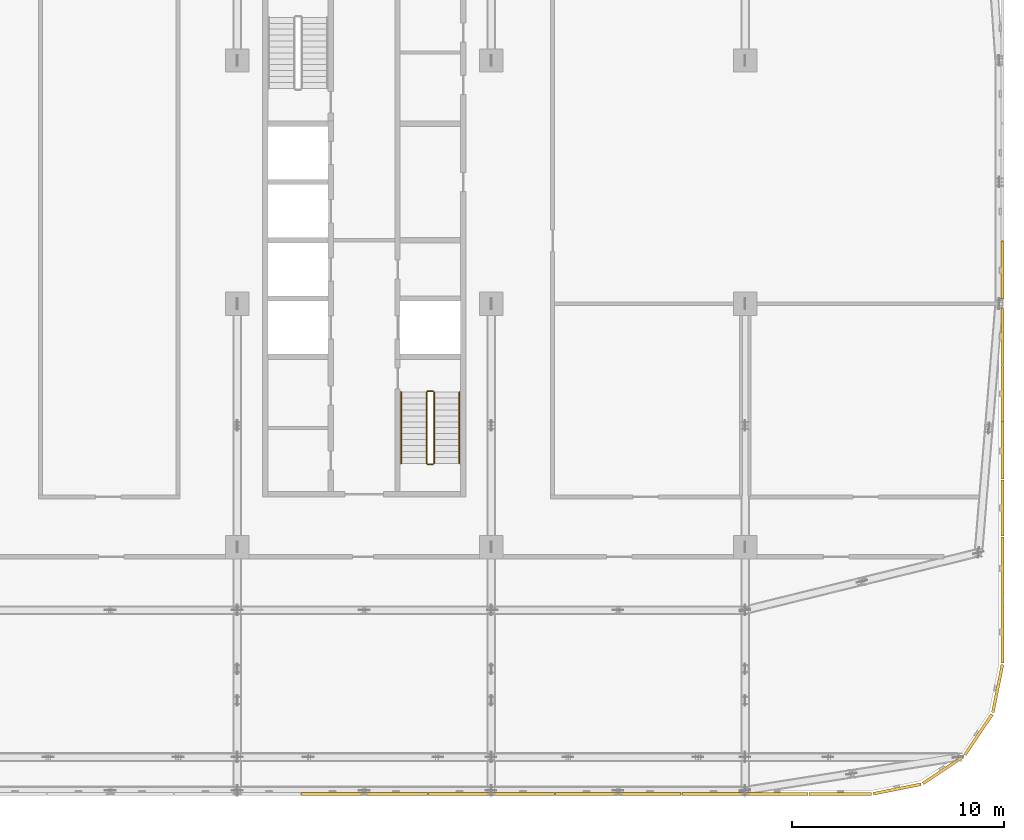
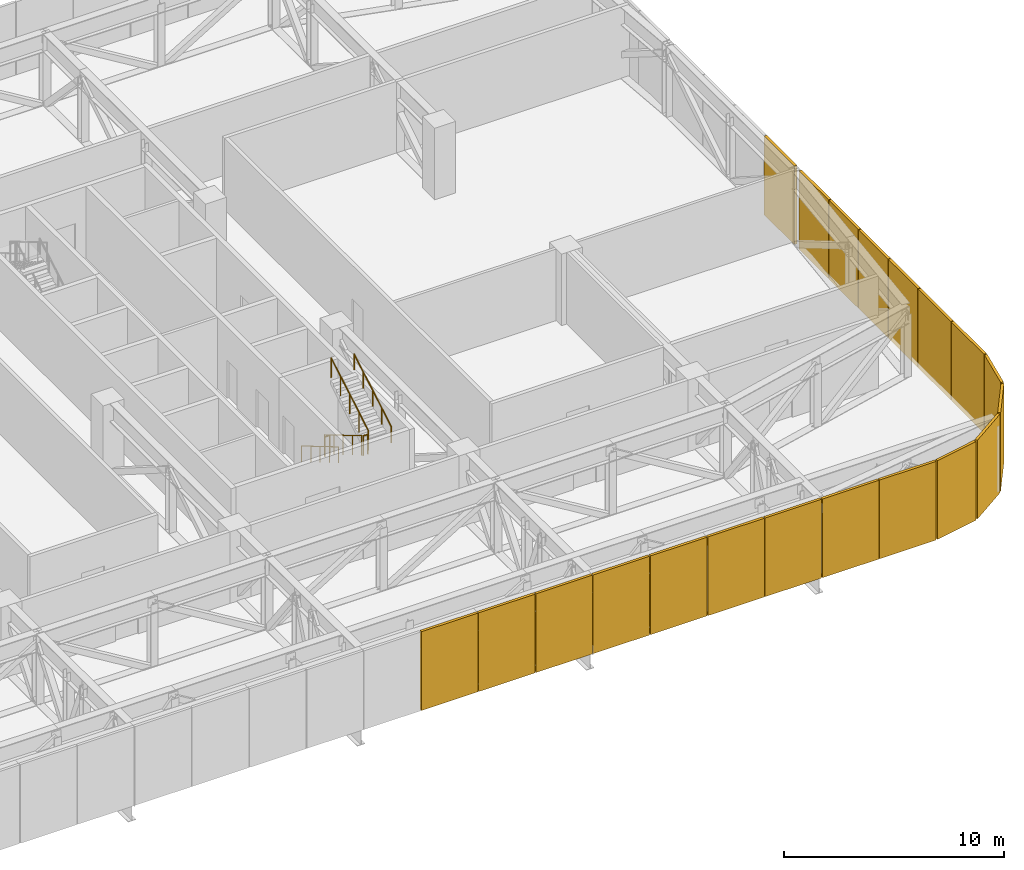
# One storey, part 27 of 28: 20 coverings, 6 railings.
"""IFC4 building model written with IfcOpenShell, lengths in metres."""

from ifc_helpers import new_model, si_unit, direction, frame, origin, origin_2d, place, context, subcontext, project, spatial, rectangle, circle, extrude, material, type_object, element, save


model = new_model("IFC4")

# Units and contexts
model_context = context("Model", 3, precision=1e-05, world=origin(), true_north=direction((0.0, 1.0)))
body_context = subcontext(model_context, "Body", "Model", "MODEL_VIEW")
ifc_project = project(units=[si_unit("LENGTHUNIT", "METRE"), si_unit("AREAUNIT", "SQUARE_METRE"), si_unit("VOLUMEUNIT", "CUBIC_METRE"), si_unit("PLANEANGLEUNIT", "RADIAN"), si_unit("MASSUNIT", "GRAM", prefix="KILO")], contexts=[model_context])

# Site, building, storey
site_placement = place(None, origin())
site = spatial("IfcSite", under=ifc_project, at=site_placement, CompositionType="ELEMENT")
building_placement = place(site_placement, origin())
building = spatial("IfcBuilding", under=site, at=building_placement, Name="Mahtab Terrace Research Tower", CompositionType="ELEMENT")
storey_placement = place(building_placement, frame((0.0, 0.0, 224.300048828125)))
storey = spatial("IfcBuildingStorey", under=building, at=storey_placement, Name="L54", CompositionType="ELEMENT", Elevation=224.300048828125)

# Coverings
ifc_material_1 = material(Name="Natural anodised aluminium", Category="aluminium")
covering_type = type_object("IfcCoveringType", Name="Plant storey louvre bay", PredefinedType="CLADDING", material=ifc_material_1)
for number, where, z_axis, x_axis, name in (
    (1, (22.5, -23.159912109375, -0.39990234375), (0.0, 0.0, 1.0), (1.0, 0.0, 0.0), "Louvre bay L54 74"),
    (2, (25.5, -23.159912109375, -0.39990234375), (0.0, 0.0, 1.0), (1.0, 0.0, 0.0), "Louvre bay L54 75"),
    (3, (28.5, -23.159912109375, -0.39990234375), (0.0, 0.0, 1.0), (1.0, 0.0, 0.0), "Louvre bay L54 76"),
    (4, (31.5, -23.159912109375, -0.39990234375), (0.0, 0.0, 1.0), (1.0, 0.0, 0.0), "Louvre bay L54 77"),
    (5, (34.5, -23.159912109375, -0.39990234375), (0.0, 0.0, 1.0), (1.0, 0.0, 0.0), "Louvre bay L54 78"),
    (6, (37.5, -23.159912109375, -0.39990234375), (0.0, 0.0, 1.0), (1.0, 0.0, 0.0), "Louvre bay L54 79"),
    (7, (40.5, -23.159912109375, -0.39990234375), (0.0, 0.0, 1.0), (1.0, 0.0, 0.0), "Louvre bay L54 80"),
    (8, (43.5, -23.159912109375, -0.39990234375), (0.0, 0.0, 1.0), (1.0, 0.0, 0.0), "Louvre bay L54 81"),
    (9, (46.5, -23.159912109375, -0.39990234375), (0.0, 0.0, 1.0), (1.0, 0.0, 0.0), "Louvre bay L54 82"),
):
    element("IfcCovering", number, at=place(storey_placement, frame(where, z_axis=z_axis, x_axis=x_axis)), inside=storey, type_object=covering_type, Name=name, PredefinedType="CLADDING", context=body_context, shape_type="SweptSolid", body=[
        extrude(rectangle(XDim=2.9599609375, YDim=0.139892578125, at=origin_2d()), origin(), (0.0, 0.0, 1.0), 4.360107421875),
    ])
for number, where, z_axis, x_axis, name in (
    (10, (49.17919921875, -22.928466796875, -0.39990234375), (0.0, 0.0, 1.0), (0.980760981187, 0.195212442692, 0.0), "Louvre bay L54 83"),
    (11, (51.3583984375, -22.026123046875, -0.39990234375), (0.0, 0.0, 1.0), (0.831655794326, 0.555291490808, 0.0), "Louvre bay L54 84"),
    (12, (53.026123046875, -20.3583984375, -0.39990234375), (0.0, 0.0, 1.0), (0.555291490808, 0.831655794326, 0.0), "Louvre bay L54 85"),
    (13, (53.928466796875, -18.17919921875, -0.39990234375), (0.0, 0.0, 1.0), (0.195212442692, 0.980760981187, 0.0), "Louvre bay L54 86"),
):
    element("IfcCovering", number, at=place(storey_placement, frame(where, z_axis=z_axis, x_axis=x_axis)), inside=storey, type_object=covering_type, Name=name, PredefinedType="CLADDING", context=body_context, shape_type="SweptSolid", body=[
        extrude(rectangle(XDim=2.301025390625, YDim=0.139892578125, at=origin_2d()), origin(), (0.0, 0.0, 1.0), 4.360107421875),
    ])
for number, where, z_axis, x_axis, name in (
    (14, (54.159912109375, -15.5, -0.39990234375), (0.0, 0.0, 1.0), (0.0, 1.0, 0.0), "Louvre bay L54 87"),
    (15, (54.159912109375, -12.5, -0.39990234375), (0.0, 0.0, 1.0), (0.0, 1.0, 0.0), "Louvre bay L54 88"),
):
    element("IfcCovering", number, at=place(storey_placement, frame(where, z_axis=z_axis, x_axis=x_axis)), inside=storey, type_object=covering_type, Name=name, PredefinedType="CLADDING", context=body_context, shape_type="SweptSolid", body=[
        extrude(rectangle(XDim=2.9599609375, YDim=0.139892578125, at=origin_2d()), origin(), (0.0, 0.0, 1.0), 4.360107421875),
    ])
for number, where, z_axis, x_axis, name in (
    (16, (54.159912109375, -9.64990234375, -0.39990234375), (0.0, 0.0, 1.0), (0.0, 1.0, 0.0), "Louvre bay L54 89"),
    (17, (54.159912109375, -6.949951171875, -0.39990234375), (0.0, 0.0, 1.0), (0.0, 1.0, 0.0), "Louvre bay L54 90"),
    (18, (54.159912109375, -4.25, -0.39990234375), (0.0, 0.0, 1.0), (0.0, 1.0, 0.0), "Louvre bay L54 91"),
    (19, (54.159912109375, -1.550048828125, -0.39990234375), (0.0, 0.0, 1.0), (0.0, 1.0, 0.0), "Louvre bay L54 92"),
):
    element("IfcCovering", number, at=place(storey_placement, frame(where, z_axis=z_axis, x_axis=x_axis)), inside=storey, type_object=covering_type, Name=name, PredefinedType="CLADDING", context=body_context, shape_type="SweptSolid", body=[
        extrude(rectangle(XDim=2.659912109375, YDim=0.139892578125, at=origin_2d()), origin(), (0.0, 0.0, 1.0), 4.360107421875),
    ])
covering_placement = place(storey_placement, frame((54.159912109375, 1.58740234375, -0.39990234375), z_axis=(0.0, 0.0, 1.0), x_axis=(0.0, 1.0, 0.0)))
element("IfcCovering", 20, at=covering_placement, inside=storey, type_object=covering_type, Name="Louvre bay L54 93", PredefinedType="CLADDING", context=body_context, shape_type="SweptSolid", body=[
    extrude(rectangle(XDim=2.735107421875, YDim=0.139892578125, at=origin_2d()), origin(), (0.0, 0.0, 1.0), 4.360107421875),
])

# Railings
ifc_material_2 = material(Name="Stainless steel AISI 304", Category="steel")
railing_type_1 = type_object("IfcRailingType", Name="Stair guard 1100", PredefinedType="GUARDRAIL", material=ifc_material_2)
railing_1_placement = place(storey_placement, frame((26.949951171875, -4.175048828125, 0.165283203125)))
element("IfcRailing", 21, at=railing_1_placement, inside=storey, type_object=railing_type_1, Name="L54 ST4 stair guard 1", PredefinedType="GUARDRAIL", context=body_context, shape_type="SweptSolid", body=[
    extrude(circle(Radius=0.02392578125, at=origin_2d()), frame((0.0, 0.0, 1.076171875), z_axis=(0.0, -0.861011212953, 0.508585972249), x_axis=(1.0, 0.0, 0.0)), (0.0, 0.0, 1.0), 3.90234375),
    extrude(circle(Radius=0.02099609375, at=origin_2d()), origin(), (0.0, 0.0, 1.0), 1.052001953125),
    extrude(circle(Radius=0.02099609375, at=origin_2d()), frame((0.0, -0.83984375, 0.49609375)), (0.0, 0.0, 1.0), 1.052001953125),
    extrude(circle(Radius=0.02099609375, at=origin_2d()), frame((0.0, -1.679931640625, 0.9921875)), (0.0, 0.0, 1.0), 1.052001953125),
    extrude(circle(Radius=0.02099609375, at=origin_2d()), frame((0.0, -2.52001953125, 1.488525390625)), (0.0, 0.0, 1.0), 1.052001953125),
    extrude(circle(Radius=0.02099609375, at=origin_2d()), frame((0.0, -3.35986328125, 1.984619140625)), (0.0, 0.0, 1.0), 1.052001953125),
])
railing_2_placement = place(storey_placement, frame((27.0, -7.5849609375, 2.14990234375)))
element("IfcRailing", 22, at=railing_2_placement, inside=storey, type_object=railing_type_1, Name="L54 ST4 stair guard 2", PredefinedType="GUARDRAIL", context=body_context, shape_type="SweptSolid", body=[
    extrude(circle(Radius=0.02392578125, at=origin_2d()), frame((0.0, 0.0, 1.076171875), z_axis=(1.0, 0.0, 0.0), x_axis=(0.0, 1.0, 0.0)), (0.0, 0.0, 1.0), 0.25),
    extrude(circle(Radius=0.02099609375, at=origin_2d()), origin(), (0.0, 0.0, 1.0), 1.052001953125),
    extrude(circle(Radius=0.02099609375, at=origin_2d()), frame((0.25, 0.0, 0.0)), (0.0, 0.0, 1.0), 1.052001953125),
])
railing_3_placement = place(storey_placement, frame((27.300048828125, -7.534912109375, 2.3154296875)))
element("IfcRailing", 23, at=railing_3_placement, inside=storey, type_object=railing_type_1, Name="L54 ST4 stair guard 3", PredefinedType="GUARDRAIL", context=body_context, shape_type="SweptSolid", body=[
    extrude(circle(Radius=0.02392578125, at=origin_2d()), frame((0.0, 0.0, 1.076171875), z_axis=(0.0, 0.861011212953, 0.508585972249), x_axis=(-1.0, 0.0, 0.0)), (0.0, 0.0, 1.0), 3.90234375),
    extrude(circle(Radius=0.02099609375, at=origin_2d()), origin(), (0.0, 0.0, 1.0), 1.052001953125),
    extrude(circle(Radius=0.02099609375, at=origin_2d()), frame((0.0, 0.83984375, 0.49609375)), (0.0, 0.0, 1.0), 1.052001953125),
    extrude(circle(Radius=0.02099609375, at=origin_2d()), frame((0.0, 1.679931640625, 0.9921875)), (0.0, 0.0, 1.0), 1.052001953125),
    extrude(circle(Radius=0.02099609375, at=origin_2d()), frame((0.0, 2.52001953125, 1.488525390625)), (0.0, 0.0, 1.0), 1.052001953125),
    extrude(circle(Radius=0.02099609375, at=origin_2d()), frame((0.0, 3.35986328125, 1.984619140625)), (0.0, 0.0, 1.0), 1.052001953125),
])
railing_4_placement = place(storey_placement, frame((27.0, -4.125, 0.0)))
element("IfcRailing", 24, at=railing_4_placement, inside=storey, type_object=railing_type_1, Name="L54 ST4 stair guard 4", PredefinedType="GUARDRAIL", context=body_context, shape_type="SweptSolid", body=[
    extrude(circle(Radius=0.02392578125, at=origin_2d()), frame((0.0, 0.0, 1.076171875), z_axis=(1.0, 0.0, 0.0), x_axis=(0.0, 1.0, 0.0)), (0.0, 0.0, 1.0), 0.25),
    extrude(circle(Radius=0.02099609375, at=origin_2d()), origin(), (0.0, 0.0, 1.0), 1.052001953125),
    extrude(circle(Radius=0.02099609375, at=origin_2d()), frame((0.25, 0.0, 0.0)), (0.0, 0.0, 1.0), 1.052001953125),
])
railing_type_2 = type_object("IfcRailingType", Name="Stair handrail 900", PredefinedType="HANDRAIL", material=ifc_material_2)
railing_5_placement = place(storey_placement, frame((25.75, -4.175048828125, 0.165283203125)))
element("IfcRailing", 25, at=railing_5_placement, inside=storey, type_object=railing_type_2, Name="L54 ST4 stair handrail 1", PredefinedType="HANDRAIL", context=body_context, shape_type="SweptSolid", body=[
    extrude(circle(Radius=0.02392578125, at=origin_2d()), frame((0.0, 0.0, 0.8759765625), z_axis=(0.0, -0.861011212953, 0.508585972249), x_axis=(1.0, 0.0, 0.0)), (0.0, 0.0, 1.0), 3.90234375),
    extrude(circle(Radius=0.02099609375, at=origin_2d()), origin(), (0.0, 0.0, 1.0), 0.851806640625),
    extrude(circle(Radius=0.02099609375, at=origin_2d()), frame((0.0, -0.83984375, 0.49609375)), (0.0, 0.0, 1.0), 0.851806640625),
    extrude(circle(Radius=0.02099609375, at=origin_2d()), frame((0.0, -1.679931640625, 0.9921875)), (0.0, 0.0, 1.0), 0.851806640625),
    extrude(circle(Radius=0.02099609375, at=origin_2d()), frame((0.0, -2.52001953125, 1.488525390625)), (0.0, 0.0, 1.0), 0.851806640625),
    extrude(circle(Radius=0.02099609375, at=origin_2d()), frame((0.0, -3.35986328125, 1.984619140625)), (0.0, 0.0, 1.0), 0.851806640625),
])
railing_6_placement = place(storey_placement, frame((28.5, -7.534912109375, 2.3154296875)))
element("IfcRailing", 26, at=railing_6_placement, inside=storey, type_object=railing_type_2, Name="L54 ST4 stair handrail 2", PredefinedType="HANDRAIL", context=body_context, shape_type="SweptSolid", body=[
    extrude(circle(Radius=0.02392578125, at=origin_2d()), frame((0.0, 0.0, 0.8759765625), z_axis=(0.0, 0.861011212953, 0.508585972249), x_axis=(-1.0, 0.0, 0.0)), (0.0, 0.0, 1.0), 3.90234375),
    extrude(circle(Radius=0.02099609375, at=origin_2d()), origin(), (0.0, 0.0, 1.0), 0.851806640625),
    extrude(circle(Radius=0.02099609375, at=origin_2d()), frame((0.0, 0.83984375, 0.49609375)), (0.0, 0.0, 1.0), 0.851806640625),
    extrude(circle(Radius=0.02099609375, at=origin_2d()), frame((0.0, 1.679931640625, 0.9921875)), (0.0, 0.0, 1.0), 0.851806640625),
    extrude(circle(Radius=0.02099609375, at=origin_2d()), frame((0.0, 2.52001953125, 1.488525390625)), (0.0, 0.0, 1.0), 0.851806640625),
    extrude(circle(Radius=0.02099609375, at=origin_2d()), frame((0.0, 3.35986328125, 1.984619140625)), (0.0, 0.0, 1.0), 0.851806640625),
])

save(model, "model.ifc")
